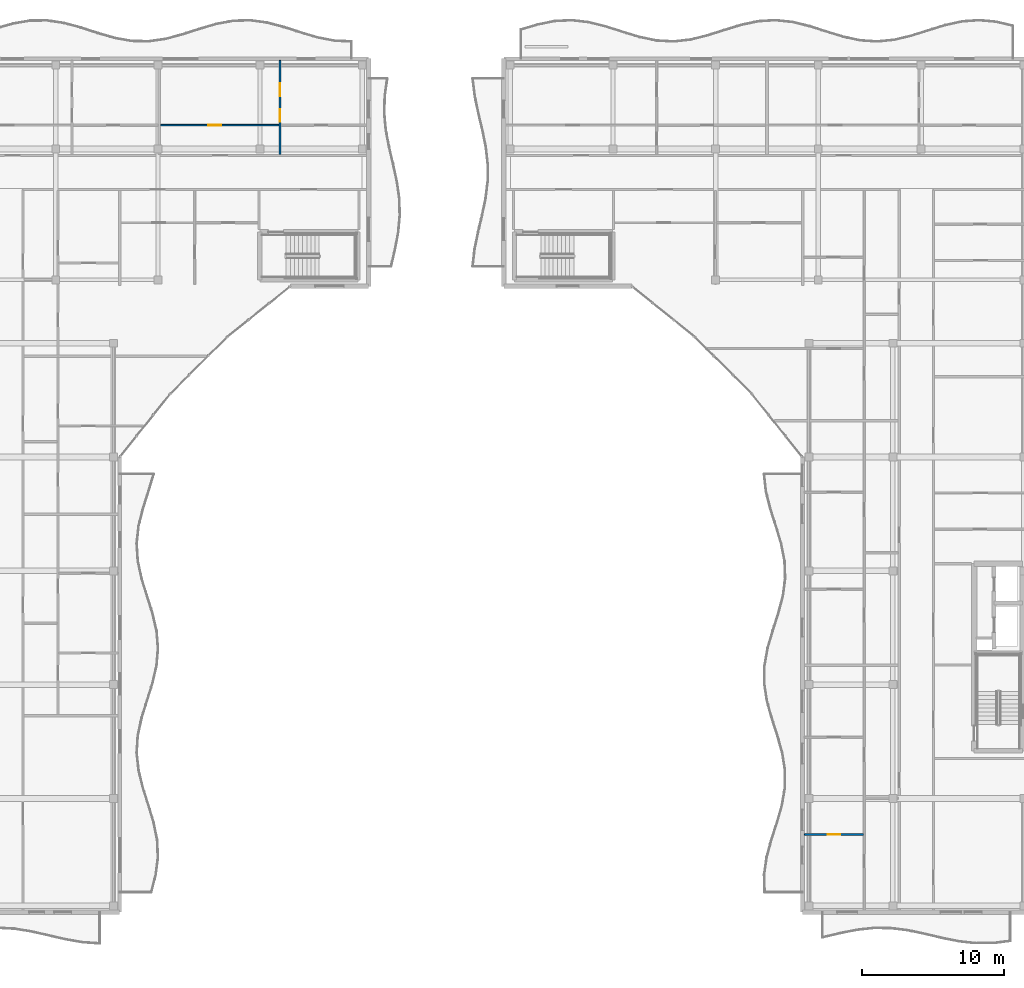
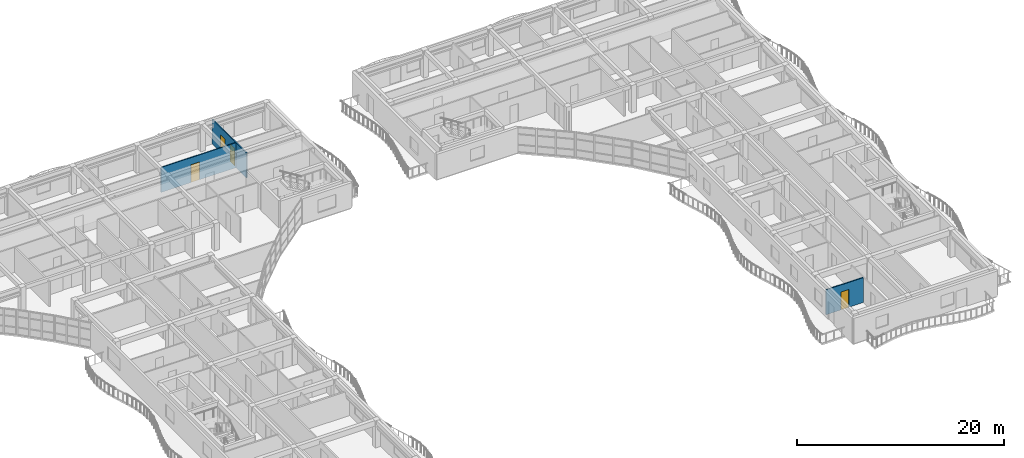
# One storey, part 40 of 68: 4 doors, 3 walls, 4 openings.
"""IFC4 building model written with IfcOpenShell, lengths in metres."""

from ifc_helpers import new_model, si_unit, direction, frame, frame_2d, origin, place, context, subcontext, project, spatial, rectangle, extrude, material, layer, layer_set, type_object, element, fill, save


model = new_model("IFC4")

# Units and contexts
model_context = context("Model", 3, precision=1e-05, world=origin(), true_north=direction((0.0, 1.0)))
body_context = subcontext(model_context, "Body", "Model", "MODEL_VIEW")
ifc_project = project(units=[si_unit("LENGTHUNIT", "METRE"), si_unit("AREAUNIT", "SQUARE_METRE"), si_unit("VOLUMEUNIT", "CUBIC_METRE"), si_unit("PLANEANGLEUNIT", "RADIAN"), si_unit("MASSUNIT", "GRAM", prefix="KILO")], contexts=[model_context])

# Site, building, storey
site_placement = place(None, origin())
site = spatial("IfcSite", under=ifc_project, at=site_placement, CompositionType="ELEMENT")
building_placement = place(site_placement, origin())
building = spatial("IfcBuilding", under=site, at=building_placement, Name="Keldmere Railside Commons", CompositionType="ELEMENT")
storey_placement = place(building_placement, frame((0.0, 0.0, 23.360107421875)))
storey = spatial("IfcBuildingStorey", under=building, at=storey_placement, Name="L07", CompositionType="ELEMENT", Elevation=23.360107421875)

# Wall, openings, doors
ifc_material_1 = material(Name="Acoustic Gypsum Board Partition", Category="gypsum")
ifc_layer_1 = layer(ifc_material_1, 0.1201171875, Name="Apartment Interior Partition 120")
ifc_layer_set_1 = layer_set([ifc_layer_1], Name="Acoustic Gypsum Board Partition")
wall_type_1 = type_object("IfcWallType", Name="Apartment Interior Partition 120", PredefinedType="PARTITIONING", material=ifc_layer_set_1)
wall_1_placement = place(storey_placement, frame((131.260009765625, 109.280029296875, 0.0), z_axis=(0.0, 0.0, 1.0), x_axis=(0.0, 1.0, 0.0)))
wall_1 = element("IfcWall", 1, at=wall_1_placement, inside=storey, type_object=wall_type_1, Name="IW-4 IW-L07-1217", PredefinedType="PARTITIONING", context=body_context, shape_type="SweptSolid", body=[
    extrude(rectangle(XDim=6.599853515625, YDim=0.1201171875, at=frame_2d((3.2998046875, 0.0))), origin(), (0.0, 0.0, 1.0), 2.934814453125),
])
opening_1_placement = place(wall_1_placement, frame((2.305908203125, 0.0, 0.0)))
opening_1 = element("IfcOpeningElement", 2, at=opening_1_placement, cuts=wall_1, Name="Opening ID-04", PredefinedType="OPENING", context=body_context, shape_type="SweptSolid", body=[
    extrude(rectangle(XDim=0.860107421875, YDim=2.10009765625, at=frame_2d((0.43017578125, 1.050048828125))), frame((0.0, 0.070068359375, 0.0), z_axis=(0.0, -1.0, 0.0), x_axis=(1.0, 0.0, 0.0)), (0.0, 0.0, 1.0), 0.14013671875),
])
opening_2_placement = place(wall_1_placement, frame((4.097412109375, 0.0, 0.0)))
opening_2 = element("IfcOpeningElement", 3, at=opening_2_placement, cuts=wall_1, Name="Opening ID-01", PredefinedType="OPENING", context=body_context, shape_type="SweptSolid", body=[
    extrude(rectangle(XDim=0.89990234375, YDim=2.10009765625, at=frame_2d((0.449951171875, 1.050048828125))), frame((0.0, 0.070068359375, 0.0), z_axis=(0.0, -1.0, 0.0), x_axis=(1.0, 0.0, 0.0)), (0.0, 0.0, 1.0), 0.14013671875),
])
ifc_material_2 = material(Name="Engineered Oak Timber", Category="wood")
door_type_1 = type_object("IfcDoorType", Name="Apartment Bathroom Door 860x2100", OperationType="NOTDEFINED", PredefinedType="DOOR", material=ifc_material_2)
door_1_placement = place(opening_1_placement, origin())
door_1 = element("IfcDoor", 4, at=door_1_placement, inside=storey, type_object=door_type_1, Name="ID-04 IDR-L07-1083", OperationType="SINGLE_SWING_LEFT", OverallHeight=2.10009765625, OverallWidth=0.860107421875, PredefinedType="DOOR", context=body_context, shape_type="SweptSolid", body=[
    extrude(rectangle(XDim=0.860107421875, YDim=2.10009765625, at=frame_2d((0.43017578125, 1.050048828125))), frame((0.0, 0.02490234375, 0.0), z_axis=(0.0, -1.0, 0.0), x_axis=(1.0, 0.0, 0.0)), (0.0, 0.0, 1.0), 0.050048828125),
])
fill(opening_1, door_1)
door_type_2 = type_object("IfcDoorType", Name="Primary Bedroom Door 900x2100", OperationType="NOTDEFINED", PredefinedType="DOOR", material=ifc_material_2)
door_2_placement = place(opening_2_placement, origin())
door_2 = element("IfcDoor", 5, at=door_2_placement, inside=storey, type_object=door_type_2, Name="ID-01 IDR-L07-1084", OperationType="SINGLE_SWING_RIGHT", OverallHeight=2.10009765625, OverallWidth=0.89990234375, PredefinedType="DOOR", context=body_context, shape_type="SweptSolid", body=[
    extrude(rectangle(XDim=0.89990234375, YDim=2.10009765625, at=frame_2d((0.449951171875, 1.050048828125))), frame((0.0, 0.02490234375, 0.0), z_axis=(0.0, -1.0, 0.0), x_axis=(1.0, 0.0, 0.0)), (0.0, 0.0, 1.0), 0.050048828125),
])
fill(opening_2, door_2)

# Wall, opening, door
wall_2_placement = place(storey_placement, frame((168.1298828125, 61.4599609375, 0.0), z_axis=(0.0, 0.0, 1.0), x_axis=(1.0, 0.0, 0.0)))
wall_2 = element("IfcWall", 6, at=wall_2_placement, inside=storey, type_object=wall_type_1, Name="IW-4 IW-L07-1694", PredefinedType="PARTITIONING", context=body_context, shape_type="SweptSolid", body=[
    extrude(rectangle(XDim=4.150146484375, YDim=0.1201171875, at=frame_2d((2.0751953125, 0.0))), origin(), (0.0, 0.0, 1.0), 2.934814453125),
])
opening_3_placement = place(wall_2_placement, frame((1.625, 0.0, 0.0)))
opening_3 = element("IfcOpeningElement", 7, at=opening_3_placement, cuts=wall_2, Name="Opening ID-01", PredefinedType="OPENING", context=body_context, shape_type="SweptSolid", body=[
    extrude(rectangle(XDim=0.89990234375, YDim=2.10009765625, at=frame_2d((0.449951171875, 1.050048828125))), frame((0.0, 0.070068359375, 0.0), z_axis=(0.0, -1.0, 0.0), x_axis=(1.0, 0.0, 0.0)), (0.0, 0.0, 1.0), 0.14013671875),
])
door_3_placement = place(opening_3_placement, origin())
door_3 = element("IfcDoor", 8, at=door_3_placement, inside=storey, type_object=door_type_2, Name="ID-01 IDR-L07-1536", OperationType="SINGLE_SWING_RIGHT", OverallHeight=2.10009765625, OverallWidth=0.89990234375, PredefinedType="DOOR", context=body_context, shape_type="SweptSolid", body=[
    extrude(rectangle(XDim=0.89990234375, YDim=2.10009765625, at=frame_2d((0.449951171875, 1.050048828125))), frame((0.0, 0.02490234375, 0.0), z_axis=(0.0, -1.0, 0.0), x_axis=(1.0, 0.0, 0.0)), (0.0, 0.0, 1.0), 0.050048828125),
])
fill(opening_3, door_3)

ifc_layer_2 = layer(ifc_material_1, 0.10009765625, Name="Closet Light Partition 100")
ifc_layer_set_2 = layer_set([ifc_layer_2], Name="Acoustic Gypsum Board Partition")
wall_type_2 = type_object("IfcWallType", Name="Closet Light Partition 100", PredefinedType="PARTITIONING", material=ifc_layer_set_2)
wall_3_placement = place(storey_placement, frame((122.8701171875, 111.330078125, 0.0), z_axis=(0.0, 0.0, 1.0), x_axis=(1.0, 0.0, 0.0)))
wall_3 = element("IfcWall", 9, at=wall_3_placement, inside=storey, type_object=wall_type_2, Name="IW-6 IW-L07-1219", PredefinedType="PARTITIONING", context=body_context, shape_type="SweptSolid", body=[
    extrude(rectangle(XDim=8.329833984375, YDim=0.10009765625, at=frame_2d((4.1650390625, 0.0))), origin(), (0.0, 0.0, 1.0), 2.934814453125),
])
opening_4_placement = place(wall_3_placement, frame((3.35595703125, 0.0, 0.0)))
opening_4 = element("IfcOpeningElement", 10, at=opening_4_placement, cuts=wall_3, Name="Opening ID-03", PredefinedType="OPENING", context=body_context, shape_type="SweptSolid", body=[
    extrude(rectangle(XDim=0.919921875, YDim=2.10009765625, at=frame_2d((0.4599609375, 1.050048828125))), frame((0.0, 0.06005859375, 0.0), z_axis=(0.0, -1.0, 0.0), x_axis=(1.0, 0.0, 0.0)), (0.0, 0.0, 1.0), 0.1201171875),
])
door_type_3 = type_object("IfcDoorType", Name="Kitchen Pocket-Frame Swing Door 920x2100", OperationType="NOTDEFINED", PredefinedType="DOOR", material=ifc_material_2)
door_4_placement = place(opening_4_placement, origin())
door_4 = element("IfcDoor", 11, at=door_4_placement, inside=storey, type_object=door_type_3, Name="ID-03 IDR-L07-1082", OperationType="SINGLE_SWING_RIGHT", OverallHeight=2.10009765625, OverallWidth=0.919921875, PredefinedType="DOOR", context=body_context, shape_type="SweptSolid", body=[
    extrude(rectangle(XDim=0.919921875, YDim=2.10009765625, at=frame_2d((0.4599609375, 1.050048828125))), frame((0.0, 0.02490234375, 0.0), z_axis=(0.0, -1.0, 0.0), x_axis=(1.0, 0.0, 0.0)), (0.0, 0.0, 1.0), 0.050048828125),
])
fill(opening_4, door_4)

save(model, "model.ifc")
